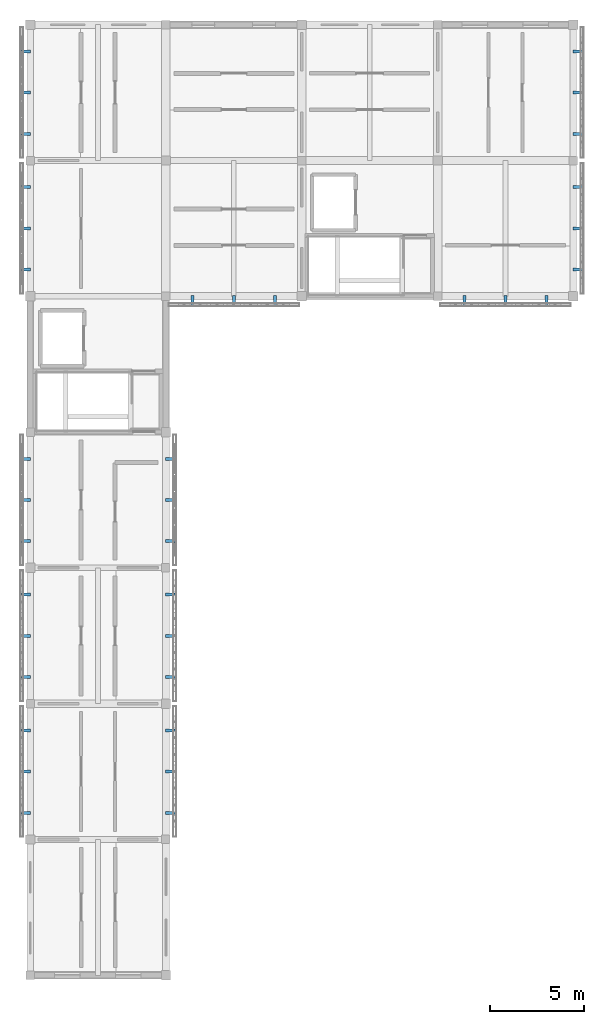
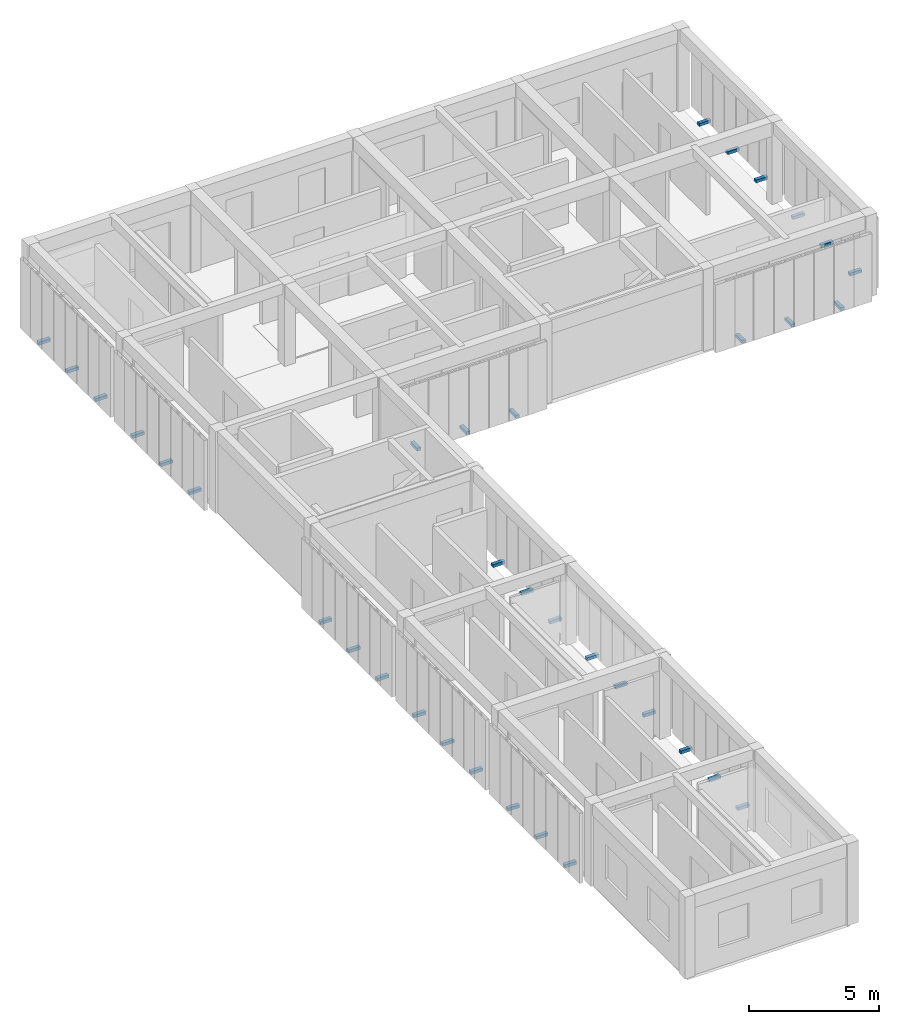
# One storey, part 13 of 14: 36 discrete accessories.
"""IFC4 building model written with IfcOpenShell, lengths in metres."""

from ifc_helpers import new_model, si_unit, direction, frame, origin, origin_2d, place, context, subcontext, project, spatial, rectangle, extrude, material, type_object, element, save


model = new_model("IFC4")

# Units and contexts
model_context = context("Model", 3, precision=1e-05, world=origin(), true_north=direction((0.0, 1.0)))
body_context = subcontext(model_context, "Body", "Model", "MODEL_VIEW")
ifc_project = project(units=[si_unit("LENGTHUNIT", "METRE"), si_unit("AREAUNIT", "SQUARE_METRE"), si_unit("VOLUMEUNIT", "CUBIC_METRE"), si_unit("PLANEANGLEUNIT", "RADIAN"), si_unit("MASSUNIT", "GRAM", prefix="KILO")], contexts=[model_context])

# Site, building, storey
site_placement = place(None, origin())
site = spatial("IfcSite", under=ifc_project, at=site_placement, CompositionType="ELEMENT")
building_placement = place(site_placement, origin())
building = spatial("IfcBuilding", under=site, at=building_placement, Name="Aldebral Square Health Centre", CompositionType="ELEMENT")
storey_placement = place(building_placement, frame((0.0, 0.0, 21.60009765625)))
storey = spatial("IfcBuildingStorey", under=building, at=storey_placement, Name="L05", CompositionType="ELEMENT", Elevation=21.60009765625)

# Discrete accessories
ifc_material = material(Name="Steel S355JR", Category="steel")
discrete_accessory_type = type_object("IfcDiscreteAccessoryType", Name="ACC-BRK-1", PredefinedType="BRACKET", material=ifc_material)
for number, where, z_axis, x_axis, name in (
    (1, (-0.22998046875, 77.783935546875, -0.01025390625), (0.0, 0.0, 1.0), (0.0, 1.0, 0.0), "L05 finned curtain-wall bracket L05-V4-00-10-W.1"),
    (2, (-0.22998046875, 75.60009765625, -0.01025390625), (0.0, 0.0, 1.0), (0.0, 1.0, 0.0), "L05 finned curtain-wall bracket L05-V4-00-10-W.2"),
    (3, (-0.22998046875, 73.416015625, -0.01025390625), (0.0, 0.0, 1.0), (0.0, 1.0, 0.0), "L05 finned curtain-wall bracket L05-V4-00-10-W.3"),
    (4, (7.429931640625, 73.416015625, -0.01025390625), (0.0, 0.0, 1.0), (0.0, 1.0, 0.0), "L05 finned curtain-wall bracket L05-V4-00-10-E.1"),
    (5, (7.429931640625, 75.60009765625, -0.01025390625), (0.0, 0.0, 1.0), (0.0, 1.0, 0.0), "L05 finned curtain-wall bracket L05-V4-00-10-E.2"),
    (6, (7.429931640625, 77.783935546875, -0.01025390625), (0.0, 0.0, 1.0), (0.0, 1.0, 0.0), "L05 finned curtain-wall bracket L05-V4-00-10-E.3"),
    (7, (-0.22998046875, 84.98388671875, -0.01025390625), (0.0, 0.0, 1.0), (0.0, 1.0, 0.0), "L05 finned curtain-wall bracket L05-V4-00-11-W.1"),
    (8, (-0.22998046875, 82.800048828125, -0.01025390625), (0.0, 0.0, 1.0), (0.0, 1.0, 0.0), "L05 finned curtain-wall bracket L05-V4-00-11-W.2"),
    (9, (-0.22998046875, 80.615966796875, -0.01025390625), (0.0, 0.0, 1.0), (0.0, 1.0, 0.0), "L05 finned curtain-wall bracket L05-V4-00-11-W.3"),
    (10, (7.429931640625, 80.615966796875, -0.01025390625), (0.0, 0.0, 1.0), (0.0, 1.0, 0.0), "L05 finned curtain-wall bracket L05-V4-00-11-E.1"),
    (11, (7.429931640625, 82.800048828125, -0.01025390625), (0.0, 0.0, 1.0), (0.0, 1.0, 0.0), "L05 finned curtain-wall bracket L05-V4-00-11-E.2"),
    (12, (7.429931640625, 84.98388671875, -0.01025390625), (0.0, 0.0, 1.0), (0.0, 1.0, 0.0), "L05 finned curtain-wall bracket L05-V4-00-11-E.3"),
    (13, (-0.22998046875, 92.18408203125, -0.01025390625), (0.0, 0.0, 1.0), (0.0, 1.0, 0.0), "L05 finned curtain-wall bracket L05-V4-00-12-W.1"),
    (14, (-0.22998046875, 90.0, -0.01025390625), (0.0, 0.0, 1.0), (0.0, 1.0, 0.0), "L05 finned curtain-wall bracket L05-V4-00-12-W.2"),
    (15, (-0.22998046875, 87.81591796875, -0.01025390625), (0.0, 0.0, 1.0), (0.0, 1.0, 0.0), "L05 finned curtain-wall bracket L05-V4-00-12-W.3"),
    (16, (7.429931640625, 87.81591796875, -0.01025390625), (0.0, 0.0, 1.0), (0.0, 1.0, 0.0), "L05 finned curtain-wall bracket L05-V4-00-12-E.1"),
    (17, (7.429931640625, 90.0, -0.01025390625), (0.0, 0.0, 1.0), (0.0, 1.0, 0.0), "L05 finned curtain-wall bracket L05-V4-00-12-E.2"),
    (18, (7.429931640625, 92.18408203125, -0.01025390625), (0.0, 0.0, 1.0), (0.0, 1.0, 0.0), "L05 finned curtain-wall bracket L05-V4-00-12-E.3"),
    (19, (-0.22998046875, 106.583984375, -0.01025390625), (0.0, 0.0, 1.0), (0.0, 1.0, 0.0), "L05 finned curtain-wall bracket L05-V4-00-14-W.1"),
    (20, (-0.22998046875, 104.39990234375, -0.01025390625), (0.0, 0.0, 1.0), (0.0, 1.0, 0.0), "L05 finned curtain-wall bracket L05-V4-00-14-W.2"),
    (21, (-0.22998046875, 102.216064453125, -0.01025390625), (0.0, 0.0, 1.0), (0.0, 1.0, 0.0), "L05 finned curtain-wall bracket L05-V4-00-14-W.3"),
    (22, (-0.22998046875, 113.783935546875, -0.01025390625), (0.0, 0.0, 1.0), (0.0, 1.0, 0.0), "L05 finned curtain-wall bracket L05-V4-00-15-W.1"),
    (23, (-0.22998046875, 111.60009765625, -0.01025390625), (0.0, 0.0, 1.0), (0.0, 1.0, 0.0), "L05 finned curtain-wall bracket L05-V4-00-15-W.2"),
    (24, (-0.22998046875, 109.416015625, -0.01025390625), (0.0, 0.0, 1.0), (0.0, 1.0, 0.0), "L05 finned curtain-wall bracket L05-V4-00-15-W.3"),
    (25, (8.615966796875, 100.570068359375, -0.01025390625), (0.0, 0.0, 1.0), (1.0, 0.0, 0.0), "L05 finned curtain-wall bracket L05-V4-01-14-S.1"),
    (26, (10.800048828125, 100.570068359375, -0.01025390625), (0.0, 0.0, 1.0), (1.0, 0.0, 0.0), "L05 finned curtain-wall bracket L05-V4-01-14-S.2"),
    (27, (12.98388671875, 100.570068359375, -0.01025390625), (0.0, 0.0, 1.0), (1.0, 0.0, 0.0), "L05 finned curtain-wall bracket L05-V4-01-14-S.3"),
    (28, (23.01611328125, 100.570068359375, -0.01025390625), (0.0, 0.0, 1.0), (1.0, 0.0, 0.0), "L05 finned curtain-wall bracket L05-V4-03-14-S.1"),
    (29, (25.199951171875, 100.570068359375, -0.01025390625), (0.0, 0.0, 1.0), (1.0, 0.0, 0.0), "L05 finned curtain-wall bracket L05-V4-03-14-S.2"),
    (30, (27.384033203125, 100.570068359375, -0.01025390625), (0.0, 0.0, 1.0), (1.0, 0.0, 0.0), "L05 finned curtain-wall bracket L05-V4-03-14-S.3"),
    (31, (29.030029296875, 102.216064453125, -0.01025390625), (0.0, 0.0, 1.0), (0.0, 1.0, 0.0), "L05 finned curtain-wall bracket L05-V4-03-14-E.1"),
    (32, (29.030029296875, 104.39990234375, -0.01025390625), (0.0, 0.0, 1.0), (0.0, 1.0, 0.0), "L05 finned curtain-wall bracket L05-V4-03-14-E.2"),
    (33, (29.030029296875, 106.583984375, -0.01025390625), (0.0, 0.0, 1.0), (0.0, 1.0, 0.0), "L05 finned curtain-wall bracket L05-V4-03-14-E.3"),
    (34, (29.030029296875, 109.416015625, -0.01025390625), (0.0, 0.0, 1.0), (0.0, 1.0, 0.0), "L05 finned curtain-wall bracket L05-V4-03-15-E.1"),
    (35, (29.030029296875, 111.60009765625, -0.01025390625), (0.0, 0.0, 1.0), (0.0, 1.0, 0.0), "L05 finned curtain-wall bracket L05-V4-03-15-E.2"),
    (36, (29.030029296875, 113.783935546875, -0.01025390625), (0.0, 0.0, 1.0), (0.0, 1.0, 0.0), "L05 finned curtain-wall bracket L05-V4-03-15-E.3"),
):
    element("IfcDiscreteAccessory", number, at=place(storey_placement, frame(where, z_axis=z_axis, x_axis=x_axis)), inside=storey, type_object=discrete_accessory_type, Name=name, PredefinedType="BRACKET", context=body_context, shape_type="SweptSolid", body=[
        extrude(rectangle(XDim=0.159912109375, YDim=0.52001953125, at=origin_2d()), origin(), (0.0, 0.0, 1.0), 0.139892578125),
    ])

save(model, "model.ifc")
